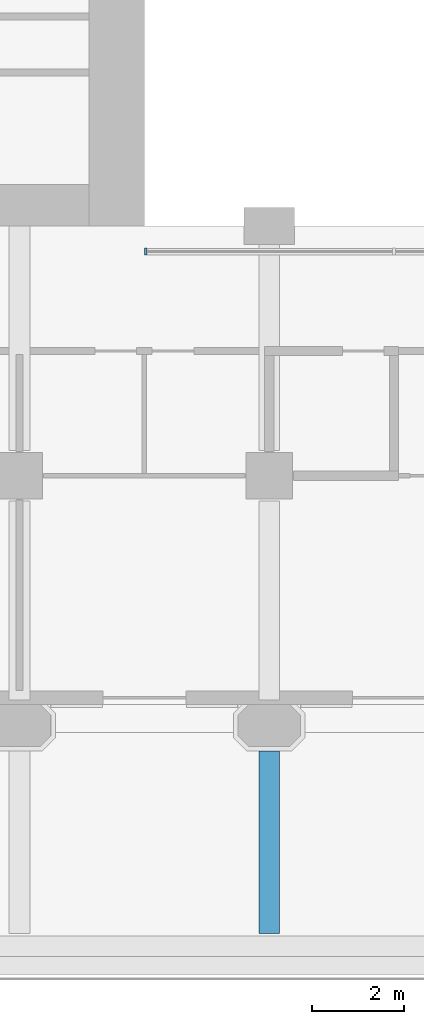
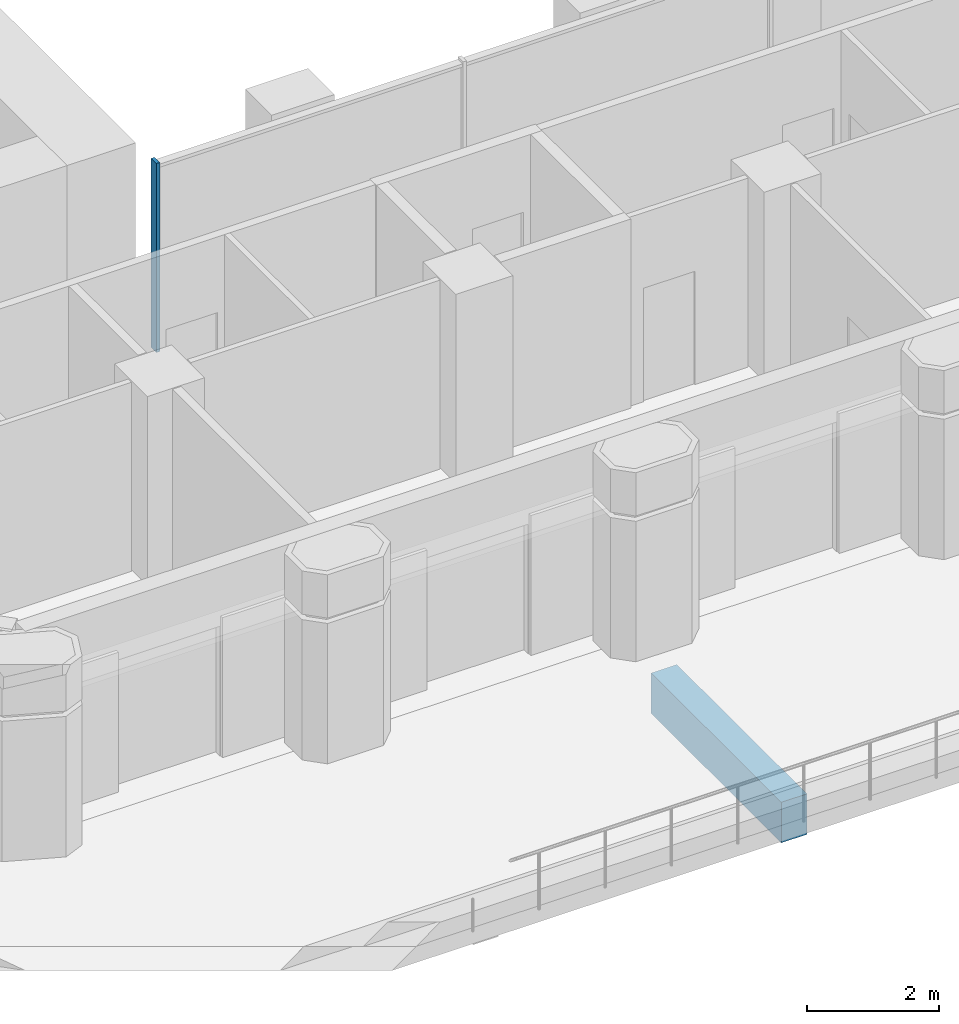
# One storey, part 2 of 16: 1 beam, 1 member, 1 element without a shape of its own.
"""IFC4 building model written with IfcOpenShell, lengths in metres."""

from ifc_helpers import new_model, si_unit, direction, frame, origin, origin_2d, place, context, subcontext, project, spatial, rectangle, extrude, material, material_profile, profile_set, type_object, element, aggregate, save


model = new_model("IFC4")

# Units and contexts
model_context = context("Model", 3, precision=1e-05, world=origin(), true_north=direction((0.0, 1.0)))
body_context = subcontext(model_context, "Body", "Model", "MODEL_VIEW")
ifc_project = project(units=[si_unit("LENGTHUNIT", "METRE"), si_unit("AREAUNIT", "SQUARE_METRE"), si_unit("VOLUMEUNIT", "CUBIC_METRE"), si_unit("PLANEANGLEUNIT", "RADIAN"), si_unit("MASSUNIT", "GRAM", prefix="KILO")], contexts=[model_context])

# Site, building, storey
site_placement = place(None, origin())
site = spatial("IfcSite", under=ifc_project, at=site_placement, CompositionType="ELEMENT")
building_placement = place(site_placement, origin())
building = spatial("IfcBuilding", under=site, at=building_placement, Name="Tabaq Tower and Sports Hall", CompositionType="ELEMENT")
storey_placement = place(building_placement, frame((0.0, 0.0, 65.0)))
storey = spatial("IfcBuildingStorey", under=building, at=storey_placement, Name="L14", CompositionType="ELEMENT", Elevation=65.0)

# Curtain wall, member
ifc_material_1 = material(Name="Aluminium alloy 6063-T6 framed glazing", Category="aluminium")
curtain_wall_type = type_object("IfcCurtainWallType", Name="CW1 curtain wall", PredefinedType="USERDEFINED", material=ifc_material_1)
curtain_wall_placement = place(storey_placement, origin())
curtain_wall = element("IfcCurtainWall", 1, at=curtain_wall_placement, inside=storey, type_object=curtain_wall_type, Name="Atrium glazing L14 S", ObjectType="ATRIUM ENCLOSURE", PredefinedType="USERDEFINED")
ifc_material_2 = material(Name="Aluminium alloy 6063-T6", Category="aluminium")
ifc_material_profile_1 = material_profile(ifc_material_2, rectangle(XDim=0.159912109375, YDim=0.06005859375, at=origin_2d()), Name="MULLION 160x60")
ifc_profile_set_1 = profile_set([ifc_material_profile_1], Name="Aluminium alloy 6063-T6")
member_type = type_object("IfcMemberType", Name="CW1 mullion 160x60", PredefinedType="MULLION", material=ifc_profile_set_1)
member_placement = place(storey_placement, frame((18.929931640625, 15.64990234375, 0.0), z_axis=(0.0, 0.0, 1.0), x_axis=(0.0, 1.0, 0.0)))
member = element("IfcMember", 2, at=member_placement, type_object=member_type, Name="CW1 mullion 1", PredefinedType="MULLION", context=body_context, shape_type="SweptSolid", body=[
    extrude(rectangle(XDim=0.159912109375, YDim=0.06005859375, at=origin_2d()), origin(), (0.0, 0.0, 1.0), 3.5),
])
aggregate(curtain_wall, [member])

# Beam
ifc_material_3 = material(Name="Concrete C40/50", Category="concrete")
ifc_material_profile_2 = material_profile(ifc_material_3, rectangle(XDim=0.449951171875, YDim=0.75, at=origin_2d()), Name="CB 450x750")
ifc_profile_set_2 = profile_set([ifc_material_profile_2], Name="Concrete C40/50")
beam_type = type_object("IfcBeamType", Name="PT CANTILEVER BEAM CB 450x750 C40/50", PredefinedType="BEAM", material=ifc_profile_set_2)
beam_placement = place(storey_placement, frame((21.60009765625, 0.89990234375, -0.675048828125), z_axis=(0.0, 1.0, 0.0), x_axis=(-1.0, 0.0, 0.0)))
element("IfcBeam", 3, at=beam_placement, inside=storey, type_object=beam_type, Name="Cantilever Beam L14 S4 span 1", PredefinedType="BEAM", context=body_context, shape_type="SweptSolid", body=[
    extrude(rectangle(XDim=0.449951171875, YDim=0.75, at=origin_2d()), origin(), (0.0, 0.0, 1.0), 3.9501953125),
])

save(model, "model.ifc")
